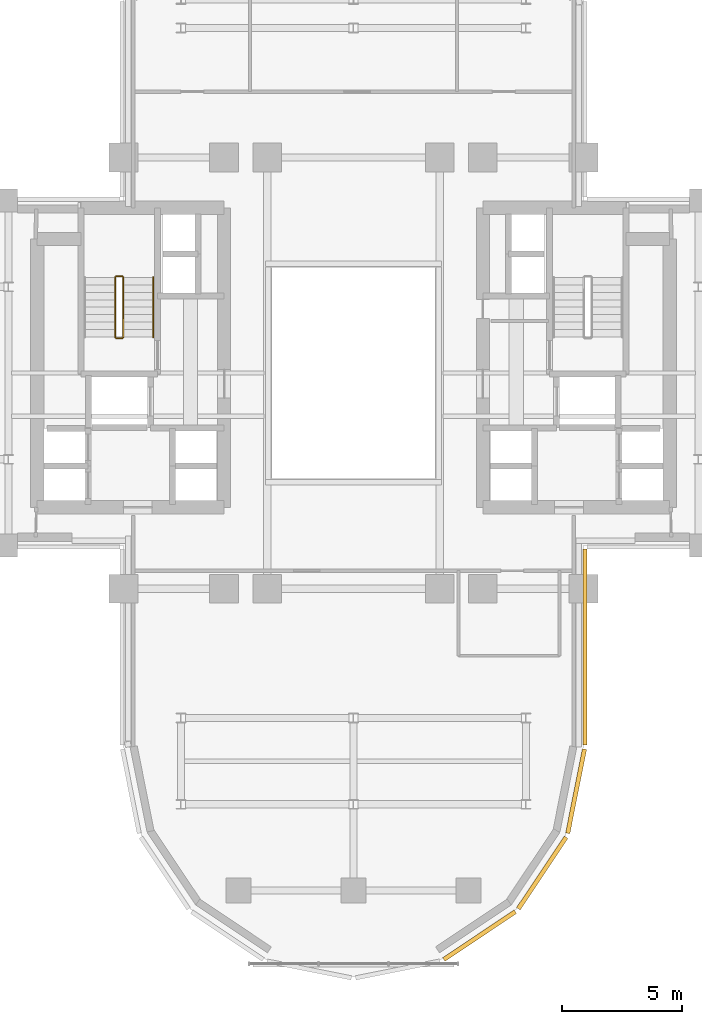
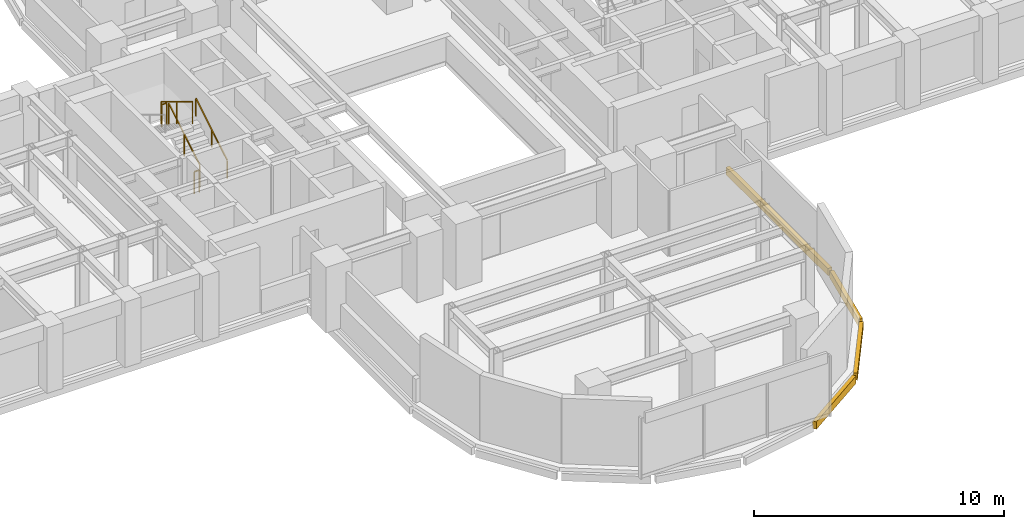
# One storey, part 14 of 16: 5 railings, 4 coverings.
"""IFC4 building model written with IfcOpenShell, lengths in metres."""

from ifc_helpers import new_model, si_unit, direction, frame, origin, origin_2d, place, context, subcontext, project, spatial, rectangle, extrude, source, transform, mapped, material, layer, layer_set, type_object, element, save


model = new_model("IFC4")

# Units and contexts
model_context = context("Model", 3, precision=1e-05, world=origin(), true_north=direction((0.0, 1.0)))
body_context = subcontext(model_context, "Body", "Model", "MODEL_VIEW")
ifc_project = project(units=[si_unit("LENGTHUNIT", "METRE"), si_unit("AREAUNIT", "SQUARE_METRE"), si_unit("VOLUMEUNIT", "CUBIC_METRE"), si_unit("PLANEANGLEUNIT", "RADIAN"), si_unit("MASSUNIT", "GRAM", prefix="KILO")], contexts=[model_context])

# Site, building, storey
site_placement = place(None, origin())
site = spatial("IfcSite", under=ifc_project, at=site_placement, CompositionType="ELEMENT")
building_placement = place(site_placement, origin())
building = spatial("IfcBuilding", under=site, at=building_placement, Name="Keilestroom Media Tower", CompositionType="ELEMENT")
storey_placement = place(building_placement, frame((0.0, 0.0, 64.60009765625)))
storey = spatial("IfcBuildingStorey", under=building, at=storey_placement, Name="L16", CompositionType="ELEMENT", Elevation=64.60009765625)

# Railings
ifc_material_1 = material(Name="Brushed Stainless Steel 1.4301", Category="steel")
railing_type_1 = type_object("IfcRailingType", Name="Stair-Pitch-Handrail-920", PredefinedType="HANDRAIL", material=ifc_material_1)
railing_1_placement = place(storey_placement, frame((-8.35009765625, 1.5, 0.188720703125)))
element("IfcRailing", 1, at=railing_1_placement, inside=storey, type_object=railing_type_1, Name="L16 ST-1 stair handrail 1", PredefinedType="HANDRAIL", context=body_context, shape_type="SweptSolid", body=[
    extrude(rectangle(XDim=0.048095703125, YDim=0.048095703125, at=origin_2d()), frame((0.0, 0.0, 0.8759765625), z_axis=(0.0, 0.855433747314, 0.517912255074), x_axis=(-1.0, 0.0, 0.0)), (0.0, 0.0, 1.0), 2.91796875),
    extrude(rectangle(XDim=0.0419921875, YDim=0.0419921875, at=origin_2d()), origin(), (0.0, 0.0, 1.0), 0.84375),
    extrude(rectangle(XDim=0.0419921875, YDim=0.0419921875, at=origin_2d()), frame((0.0, 1.248046875, 0.755615234375)), (0.0, 0.0, 1.0), 0.84375),
    extrude(rectangle(XDim=0.0419921875, YDim=0.0419921875, at=origin_2d()), frame((0.0, 2.49609375, 1.51123046875)), (0.0, 0.0, 1.0), 0.84375),
])
ifc_material_2 = material(Name="Painted Steel Balustrade", Category="steel")
railing_type_2 = type_object("IfcRailingType", Name="Stair-Well-And-Landing-Guard-1100", PredefinedType="GUARDRAIL", material=ifc_material_2)
railing_2_placement = place(storey_placement, frame((-9.610107421875, 1.5, 0.188720703125)))
element("IfcRailing", 2, at=railing_2_placement, inside=storey, type_object=railing_type_2, Name="L16 ST-1 stair guard 1", PredefinedType="GUARDRAIL", context=body_context, shape_type="SweptSolid", body=[
    extrude(rectangle(XDim=0.048095703125, YDim=0.048095703125, at=origin_2d()), frame((0.0, 0.0, 1.076171875), z_axis=(0.0, 0.855433747314, 0.517912255074), x_axis=(-1.0, 0.0, 0.0)), (0.0, 0.0, 1.0), 2.91796875),
    extrude(rectangle(XDim=0.0419921875, YDim=0.0419921875, at=origin_2d()), origin(), (0.0, 0.0, 1.0), 1.0439453125),
    extrude(rectangle(XDim=0.0419921875, YDim=0.0419921875, at=origin_2d()), frame((0.0, 1.248046875, 0.755615234375)), (0.0, 0.0, 1.0), 1.0439453125),
    extrude(rectangle(XDim=0.0419921875, YDim=0.0419921875, at=origin_2d()), frame((0.0, 2.49609375, 1.51123046875)), (0.0, 0.0, 1.0), 1.0439453125),
])
railing_3_placement = place(storey_placement, frame((-9.659912109375, 4.0458984375, 1.699951171875)))
element("IfcRailing", 3, at=railing_3_placement, inside=storey, type_object=railing_type_2, Name="L16 ST-1 stair guard 2", PredefinedType="GUARDRAIL", context=body_context, shape_type="SweptSolid", body=[
    extrude(rectangle(XDim=0.048095703125, YDim=0.048095703125, at=origin_2d()), frame((0.0, 0.0, 1.076171875), z_axis=(-1.0, 0.0, 0.0), x_axis=(0.0, -1.0, 0.0)), (0.0, 0.0, 1.0), 0.239990234375),
    extrude(rectangle(XDim=0.0419921875, YDim=0.0419921875, at=origin_2d()), origin(), (0.0, 0.0, 1.0), 1.0439453125),
    extrude(rectangle(XDim=0.0419921875, YDim=0.0419921875, at=origin_2d()), frame((-0.239990234375, 0.0, 0.0)), (0.0, 0.0, 1.0), 1.0439453125),
])
railing_4_placement = place(storey_placement, frame((-9.949951171875, 3.99609375, 1.888671875)))
element("IfcRailing", 4, at=railing_4_placement, inside=storey, type_object=railing_type_2, Name="L16 ST-1 stair guard 3", PredefinedType="GUARDRAIL", context=body_context, shape_type="SweptSolid", body=[
    extrude(rectangle(XDim=0.048095703125, YDim=0.048095703125, at=origin_2d()), frame((0.0, 0.0, 1.076171875), z_axis=(0.0, -0.855433747314, 0.517912255074), x_axis=(1.0, 0.0, 0.0)), (0.0, 0.0, 1.0), 2.91796875),
    extrude(rectangle(XDim=0.0419921875, YDim=0.0419921875, at=origin_2d()), origin(), (0.0, 0.0, 1.0), 1.0439453125),
    extrude(rectangle(XDim=0.0419921875, YDim=0.0419921875, at=origin_2d()), frame((0.0, -1.248046875, 0.755615234375)), (0.0, 0.0, 1.0), 1.0439453125),
    extrude(rectangle(XDim=0.0419921875, YDim=0.0419921875, at=origin_2d()), frame((0.0, -2.49609375, 1.51123046875)), (0.0, 0.0, 1.0), 1.0439453125),
])
railing_5_placement = place(storey_placement, frame((-9.659912109375, 1.449951171875, 0.0)))
element("IfcRailing", 5, at=railing_5_placement, inside=storey, type_object=railing_type_2, Name="L16 ST-1 stair guard 4", PredefinedType="GUARDRAIL", context=body_context, shape_type="SweptSolid", body=[
    extrude(rectangle(XDim=0.048095703125, YDim=0.048095703125, at=origin_2d()), frame((0.0, 0.0, 1.076171875), z_axis=(-1.0, 0.0, 0.0), x_axis=(0.0, -1.0, 0.0)), (0.0, 0.0, 1.0), 0.239990234375),
    extrude(rectangle(XDim=0.0419921875, YDim=0.0419921875, at=origin_2d()), origin(), (0.0, 0.0, 1.0), 1.0439453125),
    extrude(rectangle(XDim=0.0419921875, YDim=0.0419921875, at=origin_2d()), frame((-0.239990234375, 0.0, 0.0)), (0.0, 0.0, 1.0), 1.0439453125),
])

# Coverings
ifc_material_3 = material(Name="Precast concrete C40/50", Category="concrete")
ifc_layer = layer(ifc_material_3, 0.1201171875)
ifc_layer_set = layer_set([ifc_layer], Name="Precast concrete C40/50")
covering_type = type_object("IfcCoveringType", Name="Exterior-Precast-Spandrel-Cladding-Panel-120", PredefinedType="CLADDING", material=ifc_layer_set)
shared_shape_1 = source(origin(), body_context, "Body", "SweptSolid", [
    extrude(rectangle(XDim=8.166015625, YDim=0.179931640625, at=origin_2d()), origin(), (0.0, 0.0, 1.0), 0.360107421875),
])
covering_1_placement = place(storey_placement, frame((9.659912109375, -11.43310546875, -0.5400390625), z_axis=(0.0, 0.0, 1.0), x_axis=(0.0, -1.0, 0.0)))
element("IfcCovering", 6, at=covering_1_placement, inside=storey, type_object=covering_type, Name="L16 Precast Slab-Edge Fascia Cornice 06", PredefinedType="CLADDING", context=body_context, shape_type="MappedRepresentation", body=[
    mapped(shared_shape_1, transform((0.0, 0.0, 0.0), x_axis=(1.0, 0.0, 0.0), y_axis=(0.0, 1.0, 0.0), z_axis=(0.0, 0.0, 1.0), scale=1.0)),
])
shared_shape_2 = source(origin(), body_context, "Body", "SweptSolid", [
    extrude(rectangle(XDim=3.58349609375, YDim=0.179931640625, at=origin_2d()), origin(), (0.0, 0.0, 1.0), 0.360107421875),
])
covering_2_placement = place(storey_placement, frame((9.29296875, -17.45166015625, -0.5400390625), z_axis=(0.0, 0.0, 1.0), x_axis=(-0.195098880975, -0.980783577882, 0.0)))
element("IfcCovering", 7, at=covering_2_placement, inside=storey, type_object=covering_type, Name="L16 Precast Slab-Edge Fascia Cornice 07", PredefinedType="CLADDING", context=body_context, shape_type="MappedRepresentation", body=[
    mapped(shared_shape_2, transform((0.0, 0.0, 0.0), x_axis=(1.0, 0.0, 0.0), y_axis=(0.0, 1.0, 0.0), z_axis=(0.0, 0.0, 1.0), scale=1.0)),
])
shared_shape_3 = source(origin(), body_context, "Body", "SweptSolid", [
    extrude(rectangle(XDim=3.589599609375, YDim=0.179931640625, at=origin_2d()), origin(), (0.0, 0.0, 1.0), 0.360107421875),
])
for number, where, z_axis, x_axis, name in (
    (8, (7.878662109375, -20.8642578125, -0.5400390625), (0.0, 0.0, 1.0), (-0.555574586577, -0.831466703332, 0.0), "L16 Precast Slab-Edge Fascia Cornice 08"),
    (9, (5.264404296875, -23.478515625, -0.5400390625), (0.0, 0.0, 1.0), (-0.831466703332, -0.555574586577, 0.0), "L16 Precast Slab-Edge Fascia Cornice 09"),
):
    element("IfcCovering", number, at=place(storey_placement, frame(where, z_axis=z_axis, x_axis=x_axis)), inside=storey, type_object=covering_type, Name=name, PredefinedType="CLADDING", context=body_context, shape_type="MappedRepresentation", body=[
        mapped(shared_shape_3, transform((0.0, 0.0, 0.0), x_axis=(1.0, 0.0, 0.0), y_axis=(0.0, 1.0, 0.0), z_axis=(0.0, 0.0, 1.0), scale=1.0)),
    ])

save(model, "model.ifc")
